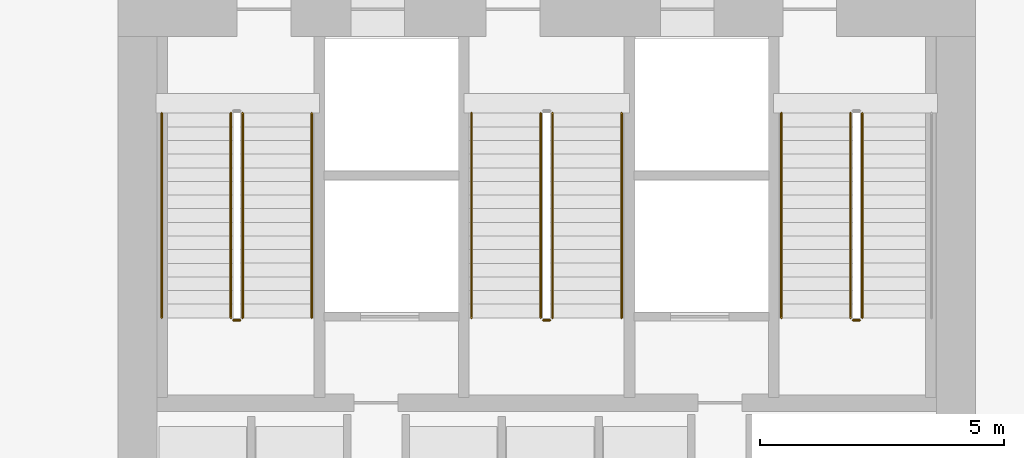
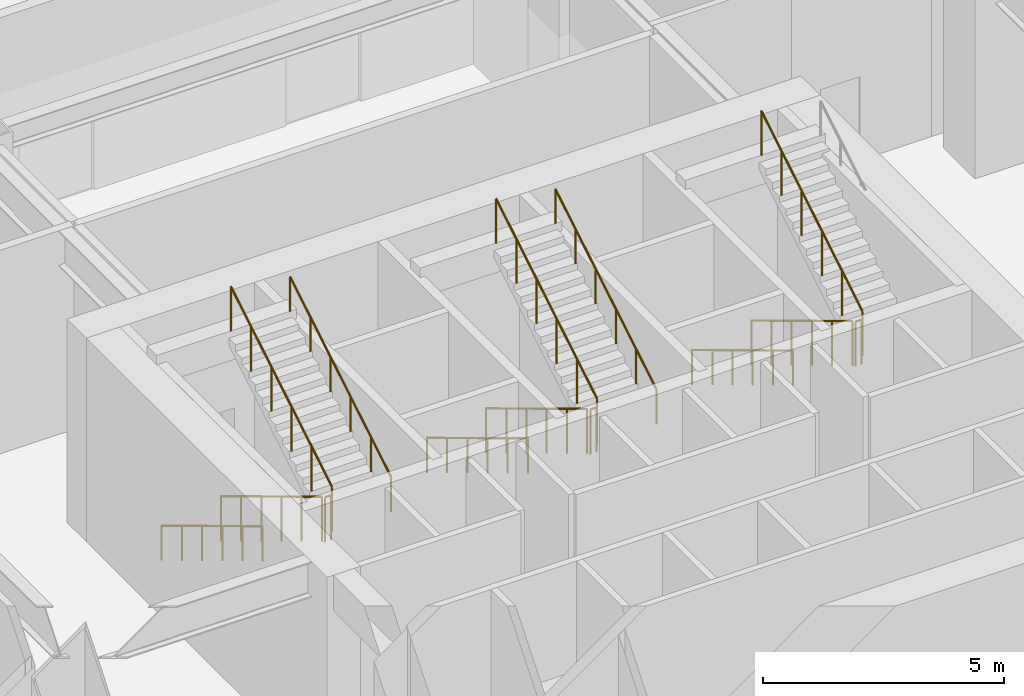
# One storey, part 16 of 20: 14 railings.
"""IFC4 building model written with IfcOpenShell, lengths in metres."""

from ifc_helpers import new_model, si_unit, direction, frame, origin, origin_2d, place, context, subcontext, project, spatial, circle, extrude, material, type_object, element, save


model = new_model("IFC4")

# Units and contexts
model_context = context("Model", 3, precision=1e-05, world=origin(), true_north=direction((0.0, 1.0)))
body_context = subcontext(model_context, "Body", "Model", "MODEL_VIEW")
ifc_project = project(units=[si_unit("LENGTHUNIT", "METRE"), si_unit("AREAUNIT", "SQUARE_METRE"), si_unit("VOLUMEUNIT", "CUBIC_METRE"), si_unit("PLANEANGLEUNIT", "RADIAN"), si_unit("MASSUNIT", "GRAM", prefix="KILO")], contexts=[model_context])

# Site, building, storey
site_placement = place(None, origin())
site = spatial("IfcSite", under=ifc_project, at=site_placement, CompositionType="ELEMENT")
building_placement = place(site_placement, origin())
building = spatial("IfcBuilding", under=site, at=building_placement, Name="Haolan Belvedere Tower", CompositionType="ELEMENT")
storey_placement = place(building_placement, origin())
storey = spatial("IfcBuildingStorey", under=building, at=storey_placement, Name="L00", CompositionType="ELEMENT", Elevation=0.0)

# Railings
ifc_material = material(Name="Brushed stainless steel 304", Category="steel")
railing_type_1 = type_object("IfcRailingType", Name="RL-STAIR-GRD-1150", PredefinedType="GUARDRAIL", material=ifc_material)
railing_1_placement = place(storey_placement, frame((31.919921875, 41.22998046875, 0.168701171875)))
element("IfcRailing", 1, at=railing_1_placement, inside=storey, type_object=railing_type_1, Name="L00 ST1 stair guard 1", PredefinedType="GUARDRAIL", context=body_context, shape_type="SweptSolid", body=[
    extrude(circle(Radius=0.02392578125, at=origin_2d()), frame((0.0, 0.0, 1.1259765625), z_axis=(0.0, -0.856476492594, 0.516186030065), x_axis=(1.0, 0.0, 0.0)), (0.0, 0.0, 1.0), 4.90380859375),
    extrude(circle(Radius=0.02099609375, at=origin_2d()), origin(), (0.0, 0.0, 1.0), 1.101806640625),
    extrude(circle(Radius=0.02099609375, at=origin_2d()), frame((0.0, -0.840087890625, 0.50634765625)), (0.0, 0.0, 1.0), 1.101806640625),
    extrude(circle(Radius=0.02099609375, at=origin_2d()), frame((0.0, -1.679931640625, 1.012451171875)), (0.0, 0.0, 1.0), 1.101806640625),
    extrude(circle(Radius=0.02099609375, at=origin_2d()), frame((0.0, -2.52001953125, 1.518798828125)), (0.0, 0.0, 1.0), 1.101806640625),
    extrude(circle(Radius=0.02099609375, at=origin_2d()), frame((0.0, -3.35986328125, 2.02490234375)), (0.0, 0.0, 1.0), 1.101806640625),
    extrude(circle(Radius=0.02099609375, at=origin_2d()), frame((0.0, -4.199951171875, 2.53125)), (0.0, 0.0, 1.0), 1.101806640625),
])
railing_2_placement = place(storey_placement, frame((31.969970703125, 36.97998046875, 2.699951171875)))
element("IfcRailing", 2, at=railing_2_placement, inside=storey, type_object=railing_type_1, Name="L00 ST1 stair guard 2", PredefinedType="GUARDRAIL", context=body_context, shape_type="SweptSolid", body=[
    extrude(circle(Radius=0.02392578125, at=origin_2d()), frame((0.0, 0.0, 1.1259765625), z_axis=(1.0, 0.0, 0.0), x_axis=(0.0, 1.0, 0.0)), (0.0, 0.0, 1.0), 0.14013671875),
    extrude(circle(Radius=0.02099609375, at=origin_2d()), origin(), (0.0, 0.0, 1.0), 1.101806640625),
    extrude(circle(Radius=0.02099609375, at=origin_2d()), frame((0.14013671875, 0.0, 0.0)), (0.0, 0.0, 1.0), 1.101806640625),
])
railing_3_placement = place(storey_placement, frame((32.159912109375, 37.030029296875, 2.86865234375)))
element("IfcRailing", 3, at=railing_3_placement, inside=storey, type_object=railing_type_1, Name="L00 ST1 stair guard 3", PredefinedType="GUARDRAIL", context=body_context, shape_type="SweptSolid", body=[
    extrude(circle(Radius=0.02392578125, at=origin_2d()), frame((0.0, 0.0, 1.1259765625), z_axis=(0.0, 0.856476492594, 0.516186030065), x_axis=(-1.0, 0.0, 0.0)), (0.0, 0.0, 1.0), 4.90380859375),
    extrude(circle(Radius=0.02099609375, at=origin_2d()), origin(), (0.0, 0.0, 1.0), 1.101806640625),
    extrude(circle(Radius=0.02099609375, at=origin_2d()), frame((0.0, 0.840087890625, 0.50634765625)), (0.0, 0.0, 1.0), 1.101806640625),
    extrude(circle(Radius=0.02099609375, at=origin_2d()), frame((0.0, 1.679931640625, 1.012451171875)), (0.0, 0.0, 1.0), 1.101806640625),
    extrude(circle(Radius=0.02099609375, at=origin_2d()), frame((0.0, 2.52001953125, 1.518798828125)), (0.0, 0.0, 1.0), 1.101806640625),
    extrude(circle(Radius=0.02099609375, at=origin_2d()), frame((0.0, 3.35986328125, 2.02490234375)), (0.0, 0.0, 1.0), 1.101806640625),
    extrude(circle(Radius=0.02099609375, at=origin_2d()), frame((0.0, 4.199951171875, 2.53125)), (0.0, 0.0, 1.0), 1.101806640625),
])
railing_4_placement = place(storey_placement, frame((38.280029296875, 41.22998046875, 0.168701171875)))
element("IfcRailing", 4, at=railing_4_placement, inside=storey, type_object=railing_type_1, Name="L00 ST3 stair guard 1", PredefinedType="GUARDRAIL", context=body_context, shape_type="SweptSolid", body=[
    extrude(circle(Radius=0.02392578125, at=origin_2d()), frame((0.0, 0.0, 1.1259765625), z_axis=(0.0, -0.856476492594, 0.516186030065), x_axis=(1.0, 0.0, 0.0)), (0.0, 0.0, 1.0), 4.90380859375),
    extrude(circle(Radius=0.02099609375, at=origin_2d()), origin(), (0.0, 0.0, 1.0), 1.101806640625),
    extrude(circle(Radius=0.02099609375, at=origin_2d()), frame((0.0, -0.840087890625, 0.50634765625)), (0.0, 0.0, 1.0), 1.101806640625),
    extrude(circle(Radius=0.02099609375, at=origin_2d()), frame((0.0, -1.679931640625, 1.012451171875)), (0.0, 0.0, 1.0), 1.101806640625),
    extrude(circle(Radius=0.02099609375, at=origin_2d()), frame((0.0, -2.52001953125, 1.518798828125)), (0.0, 0.0, 1.0), 1.101806640625),
    extrude(circle(Radius=0.02099609375, at=origin_2d()), frame((0.0, -3.35986328125, 2.02490234375)), (0.0, 0.0, 1.0), 1.101806640625),
    extrude(circle(Radius=0.02099609375, at=origin_2d()), frame((0.0, -4.199951171875, 2.53125)), (0.0, 0.0, 1.0), 1.101806640625),
])
railing_5_placement = place(storey_placement, frame((38.330078125, 36.97998046875, 2.699951171875)))
element("IfcRailing", 5, at=railing_5_placement, inside=storey, type_object=railing_type_1, Name="L00 ST3 stair guard 2", PredefinedType="GUARDRAIL", context=body_context, shape_type="SweptSolid", body=[
    extrude(circle(Radius=0.02392578125, at=origin_2d()), frame((0.0, 0.0, 1.1259765625), z_axis=(1.0, 0.0, 0.0), x_axis=(0.0, 1.0, 0.0)), (0.0, 0.0, 1.0), 0.139892578125),
    extrude(circle(Radius=0.02099609375, at=origin_2d()), origin(), (0.0, 0.0, 1.0), 1.101806640625),
    extrude(circle(Radius=0.02099609375, at=origin_2d()), frame((0.139892578125, 0.0, 0.0)), (0.0, 0.0, 1.0), 1.101806640625),
])
railing_6_placement = place(storey_placement, frame((38.52001953125, 37.030029296875, 2.86865234375)))
element("IfcRailing", 6, at=railing_6_placement, inside=storey, type_object=railing_type_1, Name="L00 ST3 stair guard 3", PredefinedType="GUARDRAIL", context=body_context, shape_type="SweptSolid", body=[
    extrude(circle(Radius=0.02392578125, at=origin_2d()), frame((0.0, 0.0, 1.1259765625), z_axis=(0.0, 0.856476492594, 0.516186030065), x_axis=(-1.0, 0.0, 0.0)), (0.0, 0.0, 1.0), 4.90380859375),
    extrude(circle(Radius=0.02099609375, at=origin_2d()), origin(), (0.0, 0.0, 1.0), 1.101806640625),
    extrude(circle(Radius=0.02099609375, at=origin_2d()), frame((0.0, 0.840087890625, 0.50634765625)), (0.0, 0.0, 1.0), 1.101806640625),
    extrude(circle(Radius=0.02099609375, at=origin_2d()), frame((0.0, 1.679931640625, 1.012451171875)), (0.0, 0.0, 1.0), 1.101806640625),
    extrude(circle(Radius=0.02099609375, at=origin_2d()), frame((0.0, 2.52001953125, 1.518798828125)), (0.0, 0.0, 1.0), 1.101806640625),
    extrude(circle(Radius=0.02099609375, at=origin_2d()), frame((0.0, 3.35986328125, 2.02490234375)), (0.0, 0.0, 1.0), 1.101806640625),
    extrude(circle(Radius=0.02099609375, at=origin_2d()), frame((0.0, 4.199951171875, 2.53125)), (0.0, 0.0, 1.0), 1.101806640625),
])
railing_7_placement = place(storey_placement, frame((44.639892578125, 41.22998046875, 0.168701171875)))
element("IfcRailing", 7, at=railing_7_placement, inside=storey, type_object=railing_type_1, Name="L00 ST2 stair guard 1", PredefinedType="GUARDRAIL", context=body_context, shape_type="SweptSolid", body=[
    extrude(circle(Radius=0.02392578125, at=origin_2d()), frame((0.0, 0.0, 1.1259765625), z_axis=(0.0, -0.856476492594, 0.516186030065), x_axis=(1.0, 0.0, 0.0)), (0.0, 0.0, 1.0), 4.90380859375),
    extrude(circle(Radius=0.02099609375, at=origin_2d()), origin(), (0.0, 0.0, 1.0), 1.101806640625),
    extrude(circle(Radius=0.02099609375, at=origin_2d()), frame((0.0, -0.840087890625, 0.50634765625)), (0.0, 0.0, 1.0), 1.101806640625),
    extrude(circle(Radius=0.02099609375, at=origin_2d()), frame((0.0, -1.679931640625, 1.012451171875)), (0.0, 0.0, 1.0), 1.101806640625),
    extrude(circle(Radius=0.02099609375, at=origin_2d()), frame((0.0, -2.52001953125, 1.518798828125)), (0.0, 0.0, 1.0), 1.101806640625),
    extrude(circle(Radius=0.02099609375, at=origin_2d()), frame((0.0, -3.35986328125, 2.02490234375)), (0.0, 0.0, 1.0), 1.101806640625),
    extrude(circle(Radius=0.02099609375, at=origin_2d()), frame((0.0, -4.199951171875, 2.53125)), (0.0, 0.0, 1.0), 1.101806640625),
])
railing_8_placement = place(storey_placement, frame((44.68994140625, 36.97998046875, 2.699951171875)))
element("IfcRailing", 8, at=railing_8_placement, inside=storey, type_object=railing_type_1, Name="L00 ST2 stair guard 2", PredefinedType="GUARDRAIL", context=body_context, shape_type="SweptSolid", body=[
    extrude(circle(Radius=0.02392578125, at=origin_2d()), frame((0.0, 0.0, 1.1259765625), z_axis=(1.0, 0.0, 0.0), x_axis=(0.0, 1.0, 0.0)), (0.0, 0.0, 1.0), 0.14013671875),
    extrude(circle(Radius=0.02099609375, at=origin_2d()), origin(), (0.0, 0.0, 1.0), 1.101806640625),
    extrude(circle(Radius=0.02099609375, at=origin_2d()), frame((0.14013671875, 0.0, 0.0)), (0.0, 0.0, 1.0), 1.101806640625),
])
railing_9_placement = place(storey_placement, frame((44.8798828125, 37.030029296875, 2.86865234375)))
element("IfcRailing", 9, at=railing_9_placement, inside=storey, type_object=railing_type_1, Name="L00 ST2 stair guard 3", PredefinedType="GUARDRAIL", context=body_context, shape_type="SweptSolid", body=[
    extrude(circle(Radius=0.02392578125, at=origin_2d()), frame((0.0, 0.0, 1.1259765625), z_axis=(0.0, 0.856476492594, 0.516186030065), x_axis=(-1.0, 0.0, 0.0)), (0.0, 0.0, 1.0), 4.90380859375),
    extrude(circle(Radius=0.02099609375, at=origin_2d()), origin(), (0.0, 0.0, 1.0), 1.101806640625),
    extrude(circle(Radius=0.02099609375, at=origin_2d()), frame((0.0, 0.840087890625, 0.50634765625)), (0.0, 0.0, 1.0), 1.101806640625),
    extrude(circle(Radius=0.02099609375, at=origin_2d()), frame((0.0, 1.679931640625, 1.012451171875)), (0.0, 0.0, 1.0), 1.101806640625),
    extrude(circle(Radius=0.02099609375, at=origin_2d()), frame((0.0, 2.52001953125, 1.518798828125)), (0.0, 0.0, 1.0), 1.101806640625),
    extrude(circle(Radius=0.02099609375, at=origin_2d()), frame((0.0, 3.35986328125, 2.02490234375)), (0.0, 0.0, 1.0), 1.101806640625),
    extrude(circle(Radius=0.02099609375, at=origin_2d()), frame((0.0, 4.199951171875, 2.53125)), (0.0, 0.0, 1.0), 1.101806640625),
])
railing_type_2 = type_object("IfcRailingType", Name="RL-STAIR-HND-900", PredefinedType="HANDRAIL", material=ifc_material)
railing_10_placement = place(storey_placement, frame((30.5, 41.22998046875, 0.168701171875)))
element("IfcRailing", 10, at=railing_10_placement, inside=storey, type_object=railing_type_2, Name="L00 ST1 stair handrail 1", PredefinedType="HANDRAIL", context=body_context, shape_type="SweptSolid", body=[
    extrude(circle(Radius=0.02392578125, at=origin_2d()), frame((0.0, 0.0, 0.8759765625), z_axis=(0.0, -0.856476492594, 0.516186030065), x_axis=(1.0, 0.0, 0.0)), (0.0, 0.0, 1.0), 4.90380859375),
    extrude(circle(Radius=0.02099609375, at=origin_2d()), origin(), (0.0, 0.0, 1.0), 0.851806640625),
    extrude(circle(Radius=0.02099609375, at=origin_2d()), frame((0.0, -0.840087890625, 0.50634765625)), (0.0, 0.0, 1.0), 0.851806640625),
    extrude(circle(Radius=0.02099609375, at=origin_2d()), frame((0.0, -1.679931640625, 1.012451171875)), (0.0, 0.0, 1.0), 0.851806640625),
    extrude(circle(Radius=0.02099609375, at=origin_2d()), frame((0.0, -2.52001953125, 1.518798828125)), (0.0, 0.0, 1.0), 0.851806640625),
    extrude(circle(Radius=0.02099609375, at=origin_2d()), frame((0.0, -3.35986328125, 2.02490234375)), (0.0, 0.0, 1.0), 0.851806640625),
    extrude(circle(Radius=0.02099609375, at=origin_2d()), frame((0.0, -4.199951171875, 2.53125)), (0.0, 0.0, 1.0), 0.851806640625),
])
railing_11_placement = place(storey_placement, frame((33.580078125, 37.030029296875, 2.86865234375)))
element("IfcRailing", 11, at=railing_11_placement, inside=storey, type_object=railing_type_2, Name="L00 ST1 stair handrail 2", PredefinedType="HANDRAIL", context=body_context, shape_type="SweptSolid", body=[
    extrude(circle(Radius=0.02392578125, at=origin_2d()), frame((0.0, 0.0, 0.8759765625), z_axis=(0.0, 0.856476492594, 0.516186030065), x_axis=(-1.0, 0.0, 0.0)), (0.0, 0.0, 1.0), 4.90380859375),
    extrude(circle(Radius=0.02099609375, at=origin_2d()), origin(), (0.0, 0.0, 1.0), 0.851806640625),
    extrude(circle(Radius=0.02099609375, at=origin_2d()), frame((0.0, 0.840087890625, 0.50634765625)), (0.0, 0.0, 1.0), 0.851806640625),
    extrude(circle(Radius=0.02099609375, at=origin_2d()), frame((0.0, 1.679931640625, 1.012451171875)), (0.0, 0.0, 1.0), 0.851806640625),
    extrude(circle(Radius=0.02099609375, at=origin_2d()), frame((0.0, 2.52001953125, 1.518798828125)), (0.0, 0.0, 1.0), 0.851806640625),
    extrude(circle(Radius=0.02099609375, at=origin_2d()), frame((0.0, 3.35986328125, 2.02490234375)), (0.0, 0.0, 1.0), 0.851806640625),
    extrude(circle(Radius=0.02099609375, at=origin_2d()), frame((0.0, 4.199951171875, 2.53125)), (0.0, 0.0, 1.0), 0.851806640625),
])
railing_12_placement = place(storey_placement, frame((36.860107421875, 41.22998046875, 0.168701171875)))
element("IfcRailing", 12, at=railing_12_placement, inside=storey, type_object=railing_type_2, Name="L00 ST3 stair handrail 1", PredefinedType="HANDRAIL", context=body_context, shape_type="SweptSolid", body=[
    extrude(circle(Radius=0.02392578125, at=origin_2d()), frame((0.0, 0.0, 0.8759765625), z_axis=(0.0, -0.856476492594, 0.516186030065), x_axis=(1.0, 0.0, 0.0)), (0.0, 0.0, 1.0), 4.90380859375),
    extrude(circle(Radius=0.02099609375, at=origin_2d()), origin(), (0.0, 0.0, 1.0), 0.851806640625),
    extrude(circle(Radius=0.02099609375, at=origin_2d()), frame((0.0, -0.840087890625, 0.50634765625)), (0.0, 0.0, 1.0), 0.851806640625),
    extrude(circle(Radius=0.02099609375, at=origin_2d()), frame((0.0, -1.679931640625, 1.012451171875)), (0.0, 0.0, 1.0), 0.851806640625),
    extrude(circle(Radius=0.02099609375, at=origin_2d()), frame((0.0, -2.52001953125, 1.518798828125)), (0.0, 0.0, 1.0), 0.851806640625),
    extrude(circle(Radius=0.02099609375, at=origin_2d()), frame((0.0, -3.35986328125, 2.02490234375)), (0.0, 0.0, 1.0), 0.851806640625),
    extrude(circle(Radius=0.02099609375, at=origin_2d()), frame((0.0, -4.199951171875, 2.53125)), (0.0, 0.0, 1.0), 0.851806640625),
])
railing_13_placement = place(storey_placement, frame((39.93994140625, 37.030029296875, 2.86865234375)))
element("IfcRailing", 13, at=railing_13_placement, inside=storey, type_object=railing_type_2, Name="L00 ST3 stair handrail 2", PredefinedType="HANDRAIL", context=body_context, shape_type="SweptSolid", body=[
    extrude(circle(Radius=0.02392578125, at=origin_2d()), frame((0.0, 0.0, 0.8759765625), z_axis=(0.0, 0.856476492594, 0.516186030065), x_axis=(-1.0, 0.0, 0.0)), (0.0, 0.0, 1.0), 4.90380859375),
    extrude(circle(Radius=0.02099609375, at=origin_2d()), origin(), (0.0, 0.0, 1.0), 0.851806640625),
    extrude(circle(Radius=0.02099609375, at=origin_2d()), frame((0.0, 0.840087890625, 0.50634765625)), (0.0, 0.0, 1.0), 0.851806640625),
    extrude(circle(Radius=0.02099609375, at=origin_2d()), frame((0.0, 1.679931640625, 1.012451171875)), (0.0, 0.0, 1.0), 0.851806640625),
    extrude(circle(Radius=0.02099609375, at=origin_2d()), frame((0.0, 2.52001953125, 1.518798828125)), (0.0, 0.0, 1.0), 0.851806640625),
    extrude(circle(Radius=0.02099609375, at=origin_2d()), frame((0.0, 3.35986328125, 2.02490234375)), (0.0, 0.0, 1.0), 0.851806640625),
    extrude(circle(Radius=0.02099609375, at=origin_2d()), frame((0.0, 4.199951171875, 2.53125)), (0.0, 0.0, 1.0), 0.851806640625),
])
railing_14_placement = place(storey_placement, frame((43.219970703125, 41.22998046875, 0.168701171875)))
element("IfcRailing", 14, at=railing_14_placement, inside=storey, type_object=railing_type_2, Name="L00 ST2 stair handrail 1", PredefinedType="HANDRAIL", context=body_context, shape_type="SweptSolid", body=[
    extrude(circle(Radius=0.02392578125, at=origin_2d()), frame((0.0, 0.0, 0.8759765625), z_axis=(0.0, -0.856476492594, 0.516186030065), x_axis=(1.0, 0.0, 0.0)), (0.0, 0.0, 1.0), 4.90380859375),
    extrude(circle(Radius=0.02099609375, at=origin_2d()), origin(), (0.0, 0.0, 1.0), 0.851806640625),
    extrude(circle(Radius=0.02099609375, at=origin_2d()), frame((0.0, -0.840087890625, 0.50634765625)), (0.0, 0.0, 1.0), 0.851806640625),
    extrude(circle(Radius=0.02099609375, at=origin_2d()), frame((0.0, -1.679931640625, 1.012451171875)), (0.0, 0.0, 1.0), 0.851806640625),
    extrude(circle(Radius=0.02099609375, at=origin_2d()), frame((0.0, -2.52001953125, 1.518798828125)), (0.0, 0.0, 1.0), 0.851806640625),
    extrude(circle(Radius=0.02099609375, at=origin_2d()), frame((0.0, -3.35986328125, 2.02490234375)), (0.0, 0.0, 1.0), 0.851806640625),
    extrude(circle(Radius=0.02099609375, at=origin_2d()), frame((0.0, -4.199951171875, 2.53125)), (0.0, 0.0, 1.0), 0.851806640625),
])

save(model, "model.ifc")
